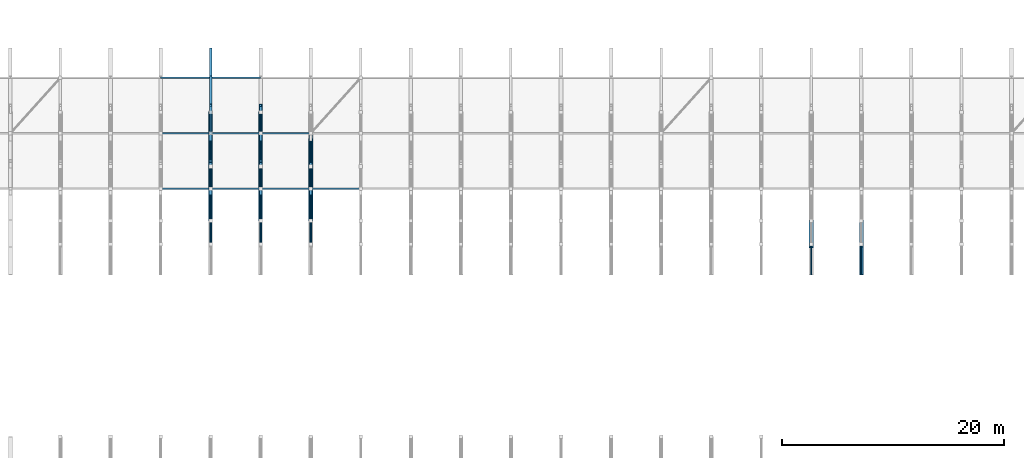
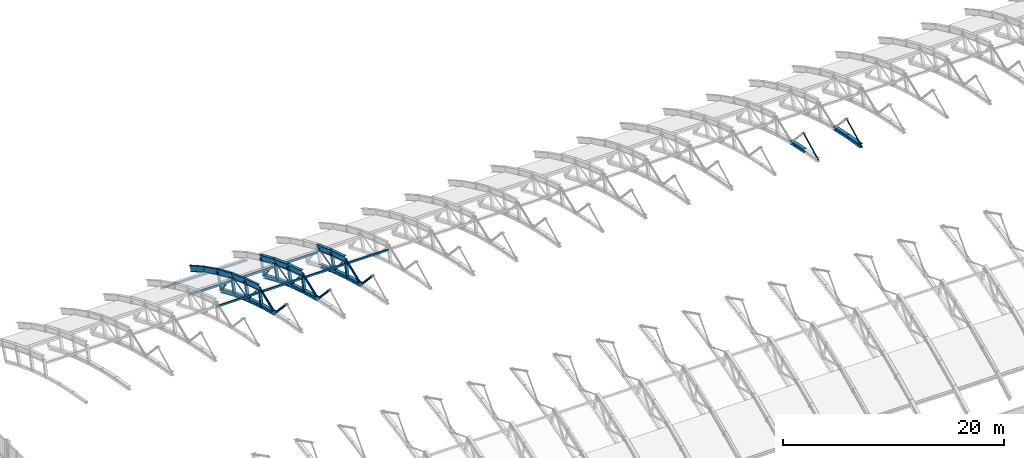
# One storey, part 44 of 103: 49 members, 10 beams.
"""IFC4 building model written with IfcOpenShell, lengths in metres."""

from ifc_helpers import new_model, si_unit, direction, frame, origin, origin_2d, place, context, subcontext, project, spatial, hollow_rectangle, hollow_circle, i_section, extrude, material, material_profile, profile_set, type_object, element, save


model = new_model("IFC4")

# Units and contexts
model_context = context("Model", 3, precision=1e-05, world=origin(), true_north=direction((0.0, 1.0)))
body_context = subcontext(model_context, "Body", "Model", "MODEL_VIEW")
ifc_project = project(units=[si_unit("LENGTHUNIT", "METRE"), si_unit("AREAUNIT", "SQUARE_METRE"), si_unit("VOLUMEUNIT", "CUBIC_METRE"), si_unit("PLANEANGLEUNIT", "RADIAN"), si_unit("MASSUNIT", "GRAM", prefix="KILO")], contexts=[model_context])

# Site, building, storey
site_placement = place(None, origin())
site = spatial("IfcSite", under=ifc_project, at=site_placement, CompositionType="ELEMENT")
building_placement = place(site_placement, origin())
building = spatial("IfcBuilding", under=site, at=building_placement, Name="Cazmaro Siding Exhibition Halls", CompositionType="ELEMENT")
storey_placement = place(building_placement, frame((0.0, 0.0, 16.5)))
storey = spatial("IfcBuildingStorey", under=building, at=storey_placement, Name="L03", CompositionType="ELEMENT", Elevation=16.5)

# Beams
ifc_material_1 = material(Name="Steel ASTM A992 Grade 50", Category="steel")
ifc_material_profile_1 = material_profile(ifc_material_1, i_section(OverallWidth=0.327880859375, OverallDepth=0.626953125, WebThickness=0.01708984375, FlangeThickness=0.028076171875, at=origin_2d()), Name="W24X146")
ifc_profile_set_1 = profile_set([ifc_material_profile_1], Name="Steel ASTM A992 Grade 50")
beam_type_1 = type_object("IfcBeamType", Name="AR-01", PredefinedType="USERDEFINED", material=ifc_profile_set_1)
beam_1_placement = place(storey_placement, frame((72.0, 109.0, 4.85498046875), z_axis=(0.0, 0.952769241759, -0.303695195811), x_axis=(-1.0, 0.0, 0.0)))
element("IfcBeam", 1, at=beam_1_placement, inside=storey, type_object=beam_type_1, Name="Space frame barrel vault arched rib AR-01 BM-0697", ObjectType="ARCHED RIB", PredefinedType="USERDEFINED", context=body_context, shape_type="SweptSolid", body=[
    extrude(i_section(OverallWidth=0.327880859375, OverallDepth=0.626953125, WebThickness=0.01708984375, FlangeThickness=0.028076171875, at=origin_2d()), origin(), (0.0, 0.0, 1.0), 2.6240234375),
])
beam_2_placement = place(storey_placement, frame((72.0, 111.5, 4.05810546875), z_axis=(0.0, 0.936509460339, -0.350642311615), x_axis=(-1.0, 0.0, 0.0)))
element("IfcBeam", 2, at=beam_2_placement, inside=storey, type_object=beam_type_1, Name="Space frame barrel vault arched rib AR-01 BM-0698", ObjectType="ARCHED RIB", PredefinedType="USERDEFINED", context=body_context, shape_type="SweptSolid", body=[
    extrude(i_section(OverallWidth=0.327880859375, OverallDepth=0.626953125, WebThickness=0.01708984375, FlangeThickness=0.028076171875, at=origin_2d()), origin(), (0.0, 0.0, 1.0), 2.66943359375),
])
beam_3_placement = place(storey_placement, frame((72.0, 114.0, 3.1220703125), z_axis=(0.0, 0.917729918626, -0.397204980405), x_axis=(-1.0, 0.0, 0.0)))
element("IfcBeam", 3, at=beam_3_placement, inside=storey, type_object=beam_type_1, Name="Space frame barrel vault arched rib AR-01 BM-0699", ObjectType="ARCHED RIB", PredefinedType="USERDEFINED", context=body_context, shape_type="SweptSolid", body=[
    extrude(i_section(OverallWidth=0.327880859375, OverallDepth=0.626953125, WebThickness=0.01708984375, FlangeThickness=0.028076171875, at=origin_2d()), origin(), (0.0, 0.0, 1.0), 2.72412109375),
])
ifc_material_2 = material(Name="Steel ASTM A992 Grade 50", Category="steel")
ifc_material_profile_2 = material_profile(ifc_material_2, i_section(OverallWidth=0.324951171875, OverallDepth=0.612060546875, WebThickness=0.012939453125, FlangeThickness=0.01904296875, at=origin_2d()), Name="W24X104")
ifc_profile_set_2 = profile_set([ifc_material_profile_2], Name="Steel ASTM A992 Grade 50")
beam_type_2 = type_object("IfcBeamType", Name="AR-02", PredefinedType="USERDEFINED", material=ifc_profile_set_2)
beam_4_placement = place(storey_placement, frame((76.5, 109.0, 4.85498046875), z_axis=(0.0, 0.952769241759, -0.303695195811), x_axis=(-1.0, 0.0, 0.0)))
element("IfcBeam", 4, at=beam_4_placement, inside=storey, type_object=beam_type_2, Name="Space frame barrel vault arched rib AR-02 BM-0721", ObjectType="ARCHED RIB", PredefinedType="USERDEFINED", context=body_context, shape_type="SweptSolid", body=[
    extrude(i_section(OverallWidth=0.324951171875, OverallDepth=0.612060546875, WebThickness=0.012939453125, FlangeThickness=0.01904296875, at=origin_2d()), origin(), (0.0, 0.0, 1.0), 2.6240234375),
])
beam_5_placement = place(storey_placement, frame((76.5, 111.5, 4.05810546875), z_axis=(0.0, 0.936509460339, -0.350642311615), x_axis=(-1.0, 0.0, 0.0)))
element("IfcBeam", 5, at=beam_5_placement, inside=storey, type_object=beam_type_2, Name="Space frame barrel vault arched rib AR-02 BM-0722", ObjectType="ARCHED RIB", PredefinedType="USERDEFINED", context=body_context, shape_type="SweptSolid", body=[
    extrude(i_section(OverallWidth=0.324951171875, OverallDepth=0.612060546875, WebThickness=0.012939453125, FlangeThickness=0.01904296875, at=origin_2d()), origin(), (0.0, 0.0, 1.0), 2.66943359375),
])
ifc_material_3 = material(Name="Steel ASTM A992 Grade 50", Category="steel")
ifc_material_profile_3 = material_profile(ifc_material_3, i_section(OverallWidth=0.22900390625, OverallDepth=0.612060546875, WebThickness=0.011962890625, FlangeThickness=0.02001953125, at=origin_2d()), Name="W24X84")
ifc_profile_set_3 = profile_set([ifc_material_profile_3], Name="Steel ASTM A992 Grade 50")
beam_type_3 = type_object("IfcBeamType", Name="AR-03", PredefinedType="USERDEFINED", material=ifc_profile_set_3)
beam_6_placement = place(storey_placement, frame((67.5, 109.0, 4.85498046875), z_axis=(0.0, 0.952769241759, -0.303695195811), x_axis=(-1.0, 0.0, 0.0)))
element("IfcBeam", 6, at=beam_6_placement, inside=storey, type_object=beam_type_3, Name="Space frame barrel vault arched rib AR-03 BM-0673", ObjectType="ARCHED RIB", PredefinedType="USERDEFINED", context=body_context, shape_type="SweptSolid", body=[
    extrude(i_section(OverallWidth=0.22900390625, OverallDepth=0.612060546875, WebThickness=0.011962890625, FlangeThickness=0.02001953125, at=origin_2d()), origin(), (0.0, 0.0, 1.0), 2.6240234375),
])
beam_7_placement = place(storey_placement, frame((67.5, 111.5, 4.05810546875), z_axis=(0.0, 0.936509460339, -0.350642311615), x_axis=(-1.0, 0.0, 0.0)))
element("IfcBeam", 7, at=beam_7_placement, inside=storey, type_object=beam_type_3, Name="Space frame barrel vault arched rib AR-03 BM-0674", ObjectType="ARCHED RIB", PredefinedType="USERDEFINED", context=body_context, shape_type="SweptSolid", body=[
    extrude(i_section(OverallWidth=0.22900390625, OverallDepth=0.612060546875, WebThickness=0.011962890625, FlangeThickness=0.02001953125, at=origin_2d()), origin(), (0.0, 0.0, 1.0), 2.66943359375),
])
beam_8_placement = place(storey_placement, frame((67.5, 114.0, 3.1220703125), z_axis=(0.0, 0.917729918626, -0.397204980405), x_axis=(-1.0, 0.0, 0.0)))
element("IfcBeam", 8, at=beam_8_placement, inside=storey, type_object=beam_type_3, Name="Space frame barrel vault arched rib AR-03 BM-0675", ObjectType="ARCHED RIB", PredefinedType="USERDEFINED", context=body_context, shape_type="SweptSolid", body=[
    extrude(i_section(OverallWidth=0.22900390625, OverallDepth=0.612060546875, WebThickness=0.011962890625, FlangeThickness=0.02001953125, at=origin_2d()), origin(), (0.0, 0.0, 1.0), 2.72412109375),
])
beam_9_placement = place(storey_placement, frame((67.5, 116.5, 2.0400390625), z_axis=(0.0, 0.895996638269, -0.444060833908), x_axis=(-1.0, 0.0, 0.0)))
element("IfcBeam", 9, at=beam_9_placement, inside=storey, type_object=beam_type_3, Name="Space frame barrel vault arched rib AR-03 BM-0676", ObjectType="ARCHED RIB", PredefinedType="USERDEFINED", context=body_context, shape_type="SweptSolid", body=[
    extrude(i_section(OverallWidth=0.22900390625, OverallDepth=0.612060546875, WebThickness=0.011962890625, FlangeThickness=0.02001953125, at=origin_2d()), origin(), (0.0, 0.0, 1.0), 2.790283203125),
])
beam_10_placement = place(storey_placement, frame((67.5, 119.0, 0.801025390625), z_axis=(0.0, 0.871320907359, -0.490713639916), x_axis=(-1.0, 0.0, 0.0)))
element("IfcBeam", 10, at=beam_10_placement, inside=storey, type_object=beam_type_3, Name="Space frame barrel vault arched rib AR-03 BM-0677", ObjectType="ARCHED RIB", PredefinedType="USERDEFINED", context=body_context, shape_type="SweptSolid", body=[
    extrude(i_section(OverallWidth=0.22900390625, OverallDepth=0.612060546875, WebThickness=0.011962890625, FlangeThickness=0.02001953125, at=origin_2d()), origin(), (0.0, 0.0, 1.0), 2.869140625),
])

# Members
ifc_material_4 = material(Name="Steel ASTM A500 Grade C", Category="steel")
ifc_material_profile_4 = material_profile(ifc_material_4, hollow_rectangle(XDim=0.152099609375, YDim=0.202880859375, WallThickness=0.011962890625, at=origin_2d()), Name="HSS8X6X1/2")
ifc_profile_set_4 = profile_set([ifc_material_profile_4], Name="Steel ASTM A500 Grade C")
member_type_1 = type_object("IfcMemberType", Name="RP-01", PredefinedType="PURLIN", material=ifc_profile_set_4)
for number, where, z_axis, x_axis, name in (
    (11, (63.0, 109.0, 4.31494140625), (1.0, 0.0, 0.0), (0.0, 1.0, 0.0), "Space frame barrel vault purlin RP-01 MEM-2022"),
    (12, (63.0, 119.0, 0.260986328125), (1.0, 0.0, 0.0), (0.0, 1.0, 0.0), "Space frame barrel vault purlin RP-01 MEM-2024"),
    (13, (67.5, 109.0, 4.31494140625), (1.0, 0.0, 0.0), (0.0, 1.0, 0.0), "Space frame barrel vault purlin RP-01 MEM-2033"),
    (14, (67.5, 119.0, 0.260986328125), (1.0, 0.0, 0.0), (0.0, 1.0, 0.0), "Space frame barrel vault purlin RP-01 MEM-2035"),
    (15, (72.0, 109.0, 4.31494140625), (1.0, 0.0, 0.0), (0.0, 1.0, 0.0), "Space frame barrel vault purlin RP-01 MEM-2044"),
    (16, (76.5, 109.0, 4.31494140625), (1.0, 0.0, 0.0), (0.0, 1.0, 0.0), "Space frame barrel vault purlin RP-01 MEM-2055"),
):
    element("IfcMember", number, at=place(storey_placement, frame(where, z_axis=z_axis, x_axis=x_axis)), inside=storey, type_object=member_type_1, Name=name, PredefinedType="PURLIN", context=body_context, shape_type="SweptSolid", body=[
        extrude(hollow_rectangle(XDim=0.152099609375, YDim=0.202880859375, WallThickness=0.011962890625, at=origin_2d()), origin(), (0.0, 0.0, 1.0), 4.5),
    ])
ifc_material_5 = material(Name="Steel ASTM A500 Grade C", Category="steel")
ifc_material_profile_5 = material_profile(ifc_material_5, hollow_rectangle(XDim=0.152099609375, YDim=0.25390625, WallThickness=0.011962890625, at=origin_2d()), Name="HSS10X6X1/2")
ifc_profile_set_5 = profile_set([ifc_material_profile_5], Name="Steel ASTM A500 Grade C")
member_type_2 = type_object("IfcMemberType", Name="RP-04", PredefinedType="PURLIN", material=ifc_profile_set_5)
for number, where, z_axis, x_axis, name in (
    (17, (63.0, 114.0, 2.58203125), (1.0, 0.0, 0.0), (0.0, 1.0, 0.0), "Space frame barrel vault purlin RP-04 MEM-2023"),
    (18, (67.5, 114.0, 2.58203125), (1.0, 0.0, 0.0), (0.0, 1.0, 0.0), "Space frame barrel vault purlin RP-04 MEM-2034"),
    (19, (72.0, 114.0, 2.58203125), (1.0, 0.0, 0.0), (0.0, 1.0, 0.0), "Space frame barrel vault purlin RP-04 MEM-2045"),
):
    element("IfcMember", number, at=place(storey_placement, frame(where, z_axis=z_axis, x_axis=x_axis)), inside=storey, type_object=member_type_2, Name=name, PredefinedType="PURLIN", context=body_context, shape_type="SweptSolid", body=[
        extrude(hollow_rectangle(XDim=0.152099609375, YDim=0.25390625, WallThickness=0.011962890625, at=origin_2d()), origin(), (0.0, 0.0, 1.0), 4.5),
    ])
ifc_material_6 = material(Name="Steel ASTM A992 Grade 50", Category="steel")
ifc_material_profile_6 = material_profile(ifc_material_6, i_section(OverallWidth=0.37109375, OverallDepth=0.364013671875, WebThickness=0.012939453125, FlangeThickness=0.02197265625, at=origin_2d()), Name="W14X109")
ifc_profile_set_6 = profile_set([ifc_material_profile_6], Name="Steel ASTM A992 Grade 50")
member_type_3 = type_object("IfcMemberType", Name="TC-06", PredefinedType="CHORD", material=ifc_profile_set_6)
member_1_placement = place(storey_placement, frame((67.5, 106.14990234375, 3.760986328125), z_axis=(0.0, 0.966437683387, -0.256901156343), x_axis=(-1.0, 0.0, 0.0)))
element("IfcMember", 20, at=member_1_placement, inside=storey, type_object=member_type_3, Name="Space frame barrel vault bottom chord TC-06 MEM-0342", PredefinedType="CHORD", context=body_context, shape_type="SweptSolid", body=[
    extrude(i_section(OverallWidth=0.37109375, OverallDepth=0.364013671875, WebThickness=0.012939453125, FlangeThickness=0.02197265625, at=origin_2d()), origin(), (0.0, 0.0, 1.0), 2.5146484375),
])
member_2_placement = place(storey_placement, frame((67.5, 108.580078125, 3.114990234375), z_axis=(0.0, 0.952692842525, -0.303934775573), x_axis=(-1.0, 0.0, 0.0)))
element("IfcMember", 21, at=member_2_placement, inside=storey, type_object=member_type_3, Name="Space frame barrel vault bottom chord TC-06 MEM-0344", PredefinedType="CHORD", context=body_context, shape_type="SweptSolid", body=[
    extrude(i_section(OverallWidth=0.37109375, OverallDepth=0.364013671875, WebThickness=0.012939453125, FlangeThickness=0.02197265625, at=origin_2d()), origin(), (0.0, 0.0, 1.0), 2.549560546875),
])
member_3_placement = place(storey_placement, frame((67.5, 111.009033203125, 2.340087890625), z_axis=(0.0, 0.936588022869, -0.350432412053), x_axis=(-1.0, 0.0, 0.0)))
element("IfcMember", 22, at=member_3_placement, inside=storey, type_object=member_type_3, Name="Space frame barrel vault bottom chord TC-06 MEM-0346", PredefinedType="CHORD", context=body_context, shape_type="SweptSolid", body=[
    extrude(i_section(OverallWidth=0.37109375, OverallDepth=0.364013671875, WebThickness=0.012939453125, FlangeThickness=0.02197265625, at=origin_2d()), origin(), (0.0, 0.0, 1.0), 2.594482421875),
])
member_4_placement = place(storey_placement, frame((67.5, 113.43896484375, 1.430908203125), z_axis=(0.0, 0.917689003843, -0.397299499403), x_axis=(-1.0, 0.0, 0.0)))
element("IfcMember", 23, at=member_4_placement, inside=storey, type_object=member_type_3, Name="Space frame barrel vault bottom chord TC-06 MEM-0348", PredefinedType="CHORD", context=body_context, shape_type="SweptSolid", body=[
    extrude(i_section(OverallWidth=0.37109375, OverallDepth=0.364013671875, WebThickness=0.012939453125, FlangeThickness=0.02197265625, at=origin_2d()), origin(), (0.0, 0.0, 1.0), 2.64794921875),
])
member_5_placement = place(storey_placement, frame((72.0, 106.14990234375, 3.760986328125), z_axis=(0.0, 0.966437683387, -0.256901156343), x_axis=(-1.0, 0.0, 0.0)))
element("IfcMember", 24, at=member_5_placement, inside=storey, type_object=member_type_3, Name="Space frame barrel vault bottom chord TC-06 MEM-0413", PredefinedType="CHORD", context=body_context, shape_type="SweptSolid", body=[
    extrude(i_section(OverallWidth=0.37109375, OverallDepth=0.364013671875, WebThickness=0.012939453125, FlangeThickness=0.02197265625, at=origin_2d()), origin(), (0.0, 0.0, 1.0), 2.5146484375),
])
member_6_placement = place(storey_placement, frame((72.0, 108.580078125, 3.114990234375), z_axis=(0.0, 0.952692842525, -0.303934775573), x_axis=(-1.0, 0.0, 0.0)))
element("IfcMember", 25, at=member_6_placement, inside=storey, type_object=member_type_3, Name="Space frame barrel vault bottom chord TC-06 MEM-0415", PredefinedType="CHORD", context=body_context, shape_type="SweptSolid", body=[
    extrude(i_section(OverallWidth=0.37109375, OverallDepth=0.364013671875, WebThickness=0.012939453125, FlangeThickness=0.02197265625, at=origin_2d()), origin(), (0.0, 0.0, 1.0), 2.549560546875),
])
member_7_placement = place(storey_placement, frame((72.0, 111.009033203125, 2.340087890625), z_axis=(0.0, 0.936588022869, -0.350432412053), x_axis=(-1.0, 0.0, 0.0)))
element("IfcMember", 26, at=member_7_placement, inside=storey, type_object=member_type_3, Name="Space frame barrel vault bottom chord TC-06 MEM-0417", PredefinedType="CHORD", context=body_context, shape_type="SweptSolid", body=[
    extrude(i_section(OverallWidth=0.37109375, OverallDepth=0.364013671875, WebThickness=0.012939453125, FlangeThickness=0.02197265625, at=origin_2d()), origin(), (0.0, 0.0, 1.0), 2.594482421875),
])
member_8_placement = place(storey_placement, frame((72.0, 113.43896484375, 1.430908203125), z_axis=(0.0, 0.917689003843, -0.397299499403), x_axis=(-1.0, 0.0, 0.0)))
element("IfcMember", 27, at=member_8_placement, inside=storey, type_object=member_type_3, Name="Space frame barrel vault bottom chord TC-06 MEM-0419", PredefinedType="CHORD", context=body_context, shape_type="SweptSolid", body=[
    extrude(i_section(OverallWidth=0.37109375, OverallDepth=0.364013671875, WebThickness=0.012939453125, FlangeThickness=0.02197265625, at=origin_2d()), origin(), (0.0, 0.0, 1.0), 2.64794921875),
])
member_9_placement = place(storey_placement, frame((76.5, 106.14990234375, 3.760986328125), z_axis=(0.0, 0.966437683387, -0.256901156343), x_axis=(-1.0, 0.0, 0.0)))
element("IfcMember", 28, at=member_9_placement, inside=storey, type_object=member_type_3, Name="Space frame barrel vault bottom chord TC-06 MEM-0484", PredefinedType="CHORD", context=body_context, shape_type="SweptSolid", body=[
    extrude(i_section(OverallWidth=0.37109375, OverallDepth=0.364013671875, WebThickness=0.012939453125, FlangeThickness=0.02197265625, at=origin_2d()), origin(), (0.0, 0.0, 1.0), 2.5146484375),
])
member_10_placement = place(storey_placement, frame((76.5, 108.580078125, 3.114990234375), z_axis=(0.0, 0.952692842525, -0.303934775573), x_axis=(-1.0, 0.0, 0.0)))
element("IfcMember", 29, at=member_10_placement, inside=storey, type_object=member_type_3, Name="Space frame barrel vault bottom chord TC-06 MEM-0486", PredefinedType="CHORD", context=body_context, shape_type="SweptSolid", body=[
    extrude(i_section(OverallWidth=0.37109375, OverallDepth=0.364013671875, WebThickness=0.012939453125, FlangeThickness=0.02197265625, at=origin_2d()), origin(), (0.0, 0.0, 1.0), 2.549560546875),
])
member_11_placement = place(storey_placement, frame((76.5, 111.009033203125, 2.340087890625), z_axis=(0.0, 0.936588022869, -0.350432412053), x_axis=(-1.0, 0.0, 0.0)))
element("IfcMember", 30, at=member_11_placement, inside=storey, type_object=member_type_3, Name="Space frame barrel vault bottom chord TC-06 MEM-0488", PredefinedType="CHORD", context=body_context, shape_type="SweptSolid", body=[
    extrude(i_section(OverallWidth=0.37109375, OverallDepth=0.364013671875, WebThickness=0.012939453125, FlangeThickness=0.02197265625, at=origin_2d()), origin(), (0.0, 0.0, 1.0), 2.594482421875),
])
member_12_placement = place(storey_placement, frame((121.5, 103.719970703125, 4.282958984375), z_axis=(0.0, 0.977697351532, -0.210018782033), x_axis=(-1.0, 0.0, 0.0)))
element("IfcMember", 31, at=member_12_placement, inside=storey, type_object=member_type_3, Name="Space frame barrel vault bottom chord TC-06 MEM-1192", PredefinedType="CHORD", context=body_context, shape_type="SweptSolid", body=[
    extrude(i_section(OverallWidth=0.37109375, OverallDepth=0.364013671875, WebThickness=0.012939453125, FlangeThickness=0.02197265625, at=origin_2d()), origin(), (0.0, 0.0, 1.0), 2.4853515625),
])
member_13_placement = place(storey_placement, frame((126.0, 101.2900390625, 4.68701171875), z_axis=(0.0, 0.986455464336, -0.164029317138), x_axis=(-1.0, 0.0, 0.0)))
element("IfcMember", 32, at=member_13_placement, inside=storey, type_object=member_type_3, Name="Space frame barrel vault bottom chord TC-06 MEM-1261", PredefinedType="CHORD", context=body_context, shape_type="SweptSolid", body=[
    extrude(i_section(OverallWidth=0.37109375, OverallDepth=0.364013671875, WebThickness=0.012939453125, FlangeThickness=0.02197265625, at=origin_2d()), origin(), (0.0, 0.0, 1.0), 2.46337890625),
])
member_14_placement = place(storey_placement, frame((126.0, 103.719970703125, 4.282958984375), z_axis=(0.0, 0.977697351532, -0.210018782033), x_axis=(-1.0, 0.0, 0.0)))
element("IfcMember", 33, at=member_14_placement, inside=storey, type_object=member_type_3, Name="Space frame barrel vault bottom chord TC-06 MEM-1263", PredefinedType="CHORD", context=body_context, shape_type="SweptSolid", body=[
    extrude(i_section(OverallWidth=0.37109375, OverallDepth=0.364013671875, WebThickness=0.012939453125, FlangeThickness=0.02197265625, at=origin_2d()), origin(), (0.0, 0.0, 1.0), 2.4853515625),
])
ifc_material_7 = material(Name="Steel ASTM A500 Grade C", Category="steel")
ifc_material_profile_7 = material_profile(ifc_material_7, hollow_rectangle(XDim=0.202880859375, YDim=0.202880859375, WallThickness=0.011962890625, at=origin_2d()), Name="HSS8X8X1/2")
ifc_profile_set_7 = profile_set([ifc_material_profile_7], Name="Steel ASTM A500 Grade C")
member_type_4 = type_object("IfcMemberType", Name="TP-01", PredefinedType="POST", material=ifc_profile_set_7)
for number, where, z_axis, x_axis, name in (
    (34, (67.5, 115.868896484375, 0.37890625), (0.0, 0.355155331276, 0.934807301355), (-1.0, 0.0, 0.0), "Space frame barrel vault post TP-01 MEM-0376"),
    (35, (72.0, 115.868896484375, 0.37890625), (0.0, 0.355155331276, 0.934807301355), (-1.0, 0.0, 0.0), "Space frame barrel vault post TP-01 MEM-0447"),
):
    element("IfcMember", number, at=place(storey_placement, frame(where, z_axis=z_axis, x_axis=x_axis)), inside=storey, type_object=member_type_4, Name=name, PredefinedType="POST", context=body_context, shape_type="SweptSolid", body=[
        extrude(hollow_rectangle(XDim=0.202880859375, YDim=0.202880859375, WallThickness=0.011962890625, at=origin_2d()), origin(), (0.0, 0.0, 1.0), 1.777099609375),
    ])
ifc_material_8 = material(Name="Steel ASTM A992 Grade 50", Category="steel")
ifc_material_profile_8 = material_profile(ifc_material_8, i_section(OverallWidth=0.25390625, OverallDepth=0.25390625, WebThickness=0.009033203125, FlangeThickness=0.013916015625, at=origin_2d()), Name="W10X49")
ifc_profile_set_8 = profile_set([ifc_material_profile_8], Name="Steel ASTM A992 Grade 50")
member_type_5 = type_object("IfcMemberType", Name="TP-04", PredefinedType="POST", material=ifc_profile_set_8)
member_15_placement = place(storey_placement, frame((67.5, 108.580078125, 3.114990234375), z_axis=(0.0, 0.234600533729, 0.972091862724), x_axis=(-1.0, 0.0, 0.0)))
element("IfcMember", 36, at=member_15_placement, inside=storey, type_object=member_type_5, Name="Space frame barrel vault post TP-04 MEM-0373", PredefinedType="POST", context=body_context, shape_type="SweptSolid", body=[
    extrude(i_section(OverallWidth=0.25390625, OverallDepth=0.25390625, WebThickness=0.009033203125, FlangeThickness=0.013916015625, at=origin_2d()), origin(), (0.0, 0.0, 1.0), 1.7900390625),
])
member_16_placement = place(storey_placement, frame((67.5, 111.009033203125, 2.340087890625), z_axis=(0.0, 0.274775266308, 0.961508477875), x_axis=(-1.0, 0.0, 0.0)))
element("IfcMember", 37, at=member_16_placement, inside=storey, type_object=member_type_5, Name="Space frame barrel vault post TP-04 MEM-0374", PredefinedType="POST", context=body_context, shape_type="SweptSolid", body=[
    extrude(i_section(OverallWidth=0.25390625, OverallDepth=0.25390625, WebThickness=0.009033203125, FlangeThickness=0.013916015625, at=origin_2d()), origin(), (0.0, 0.0, 1.0), 1.786865234375),
])
member_17_placement = place(storey_placement, frame((67.5, 113.43896484375, 1.430908203125), z_axis=(0.0, 0.314870949103, 0.949134492794), x_axis=(-1.0, 0.0, 0.0)))
element("IfcMember", 38, at=member_17_placement, inside=storey, type_object=member_type_5, Name="Space frame barrel vault post TP-04 MEM-0375", PredefinedType="POST", context=body_context, shape_type="SweptSolid", body=[
    extrude(i_section(OverallWidth=0.25390625, OverallDepth=0.25390625, WebThickness=0.009033203125, FlangeThickness=0.013916015625, at=origin_2d()), origin(), (0.0, 0.0, 1.0), 1.78173828125),
])
member_18_placement = place(storey_placement, frame((72.0, 108.580078125, 3.114990234375), z_axis=(0.0, 0.234600533729, 0.972091862724), x_axis=(-1.0, 0.0, 0.0)))
element("IfcMember", 39, at=member_18_placement, inside=storey, type_object=member_type_5, Name="Space frame barrel vault post TP-04 MEM-0444", PredefinedType="POST", context=body_context, shape_type="SweptSolid", body=[
    extrude(i_section(OverallWidth=0.25390625, OverallDepth=0.25390625, WebThickness=0.009033203125, FlangeThickness=0.013916015625, at=origin_2d()), origin(), (0.0, 0.0, 1.0), 1.7900390625),
])
member_19_placement = place(storey_placement, frame((72.0, 111.009033203125, 2.340087890625), z_axis=(0.0, 0.274775266308, 0.961508477875), x_axis=(-1.0, 0.0, 0.0)))
element("IfcMember", 40, at=member_19_placement, inside=storey, type_object=member_type_5, Name="Space frame barrel vault post TP-04 MEM-0445", PredefinedType="POST", context=body_context, shape_type="SweptSolid", body=[
    extrude(i_section(OverallWidth=0.25390625, OverallDepth=0.25390625, WebThickness=0.009033203125, FlangeThickness=0.013916015625, at=origin_2d()), origin(), (0.0, 0.0, 1.0), 1.786865234375),
])
member_20_placement = place(storey_placement, frame((72.0, 113.43896484375, 1.430908203125), z_axis=(0.0, 0.314870949103, 0.949134492794), x_axis=(-1.0, 0.0, 0.0)))
element("IfcMember", 41, at=member_20_placement, inside=storey, type_object=member_type_5, Name="Space frame barrel vault post TP-04 MEM-0446", PredefinedType="POST", context=body_context, shape_type="SweptSolid", body=[
    extrude(i_section(OverallWidth=0.25390625, OverallDepth=0.25390625, WebThickness=0.009033203125, FlangeThickness=0.013916015625, at=origin_2d()), origin(), (0.0, 0.0, 1.0), 1.78173828125),
])
member_21_placement = place(storey_placement, frame((76.5, 108.580078125, 3.114990234375), z_axis=(0.0, 0.234600533729, 0.972091862724), x_axis=(-1.0, 0.0, 0.0)))
element("IfcMember", 42, at=member_21_placement, inside=storey, type_object=member_type_5, Name="Space frame barrel vault post TP-04 MEM-0515", PredefinedType="POST", context=body_context, shape_type="SweptSolid", body=[
    extrude(i_section(OverallWidth=0.25390625, OverallDepth=0.25390625, WebThickness=0.009033203125, FlangeThickness=0.013916015625, at=origin_2d()), origin(), (0.0, 0.0, 1.0), 1.7900390625),
])
member_22_placement = place(storey_placement, frame((76.5, 111.009033203125, 2.340087890625), z_axis=(0.0, 0.274775266308, 0.961508477875), x_axis=(-1.0, 0.0, 0.0)))
element("IfcMember", 43, at=member_22_placement, inside=storey, type_object=member_type_5, Name="Space frame barrel vault post TP-04 MEM-0516", PredefinedType="POST", context=body_context, shape_type="SweptSolid", body=[
    extrude(i_section(OverallWidth=0.25390625, OverallDepth=0.25390625, WebThickness=0.009033203125, FlangeThickness=0.013916015625, at=origin_2d()), origin(), (0.0, 0.0, 1.0), 1.786865234375),
])
ifc_material_9 = material(Name="Steel ASTM A500 Grade C", Category="steel")
ifc_material_profile_9 = material_profile(ifc_material_9, hollow_circle(Radius=0.109619140625, WallThickness=0.012939453125, at=origin_2d()), Name="PIPE8XS")
ifc_profile_set_9 = profile_set([ifc_material_profile_9], Name="Steel ASTM A500 Grade C")
member_type_6 = type_object("IfcMemberType", Name="WB-01", PredefinedType="BRACE", material=ifc_profile_set_9)
member_23_placement = place(storey_placement, frame((67.5, 104.0, 6.056884765625), z_axis=(0.0, 0.683517575744, -0.729934054315), x_axis=(-1.0, 0.0, 0.0)))
element("IfcMember", 44, at=member_23_placement, inside=storey, type_object=member_type_6, Name="Space frame barrel vault diagonal WB-01 MEM-0341", PredefinedType="BRACE", context=body_context, shape_type="SweptSolid", body=[
    extrude(hollow_circle(Radius=0.109619140625, WallThickness=0.012939453125, at=origin_2d()), origin(), (0.0, 0.0, 1.0), 3.145263671875),
])
member_24_placement = place(storey_placement, frame((67.5, 106.14990234375, 3.760986328125), z_axis=(0.0, 0.933586546586, 0.358352005761), x_axis=(-1.0, 0.0, 0.0)))
element("IfcMember", 45, at=member_24_placement, inside=storey, type_object=member_type_6, Name="Space frame barrel vault diagonal WB-01 MEM-0343", PredefinedType="BRACE", context=body_context, shape_type="SweptSolid", body=[
    extrude(hollow_circle(Radius=0.109619140625, WallThickness=0.012939453125, at=origin_2d()), origin(), (0.0, 0.0, 1.0), 3.052734375),
])
member_25_placement = place(storey_placement, frame((67.5, 114.0, 3.1220703125), z_axis=(0.0, 0.563040090795, -0.826429583302), x_axis=(-1.0, 0.0, 0.0)))
element("IfcMember", 46, at=member_25_placement, inside=storey, type_object=member_type_6, Name="Space frame barrel vault diagonal WB-01 MEM-0349", PredefinedType="BRACE", context=body_context, shape_type="SweptSolid", body=[
    extrude(hollow_circle(Radius=0.109619140625, WallThickness=0.012939453125, at=origin_2d()), origin(), (0.0, 0.0, 1.0), 3.3193359375),
])
member_26_placement = place(storey_placement, frame((72.0, 104.0, 6.056884765625), z_axis=(0.0, 0.683517575744, -0.729934054315), x_axis=(-1.0, 0.0, 0.0)))
element("IfcMember", 47, at=member_26_placement, inside=storey, type_object=member_type_6, Name="Space frame barrel vault diagonal WB-01 MEM-0412", PredefinedType="BRACE", context=body_context, shape_type="SweptSolid", body=[
    extrude(hollow_circle(Radius=0.109619140625, WallThickness=0.012939453125, at=origin_2d()), origin(), (0.0, 0.0, 1.0), 3.145263671875),
])
member_27_placement = place(storey_placement, frame((72.0, 106.14990234375, 3.760986328125), z_axis=(0.0, 0.933586546586, 0.358352005761), x_axis=(-1.0, 0.0, 0.0)))
element("IfcMember", 48, at=member_27_placement, inside=storey, type_object=member_type_6, Name="Space frame barrel vault diagonal WB-01 MEM-0414", PredefinedType="BRACE", context=body_context, shape_type="SweptSolid", body=[
    extrude(hollow_circle(Radius=0.109619140625, WallThickness=0.012939453125, at=origin_2d()), origin(), (0.0, 0.0, 1.0), 3.052734375),
])
member_28_placement = place(storey_placement, frame((72.0, 114.0, 3.1220703125), z_axis=(0.0, 0.563040090795, -0.826429583302), x_axis=(-1.0, 0.0, 0.0)))
element("IfcMember", 49, at=member_28_placement, inside=storey, type_object=member_type_6, Name="Space frame barrel vault diagonal WB-01 MEM-0420", PredefinedType="BRACE", context=body_context, shape_type="SweptSolid", body=[
    extrude(hollow_circle(Radius=0.109619140625, WallThickness=0.012939453125, at=origin_2d()), origin(), (0.0, 0.0, 1.0), 3.3193359375),
])
member_29_placement = place(storey_placement, frame((76.5, 104.0, 6.056884765625), z_axis=(0.0, 0.683517575744, -0.729934054315), x_axis=(-1.0, 0.0, 0.0)))
element("IfcMember", 50, at=member_29_placement, inside=storey, type_object=member_type_6, Name="Space frame barrel vault diagonal WB-01 MEM-0483", PredefinedType="BRACE", context=body_context, shape_type="SweptSolid", body=[
    extrude(hollow_circle(Radius=0.109619140625, WallThickness=0.012939453125, at=origin_2d()), origin(), (0.0, 0.0, 1.0), 3.145263671875),
])
member_30_placement = place(storey_placement, frame((76.5, 106.14990234375, 3.760986328125), z_axis=(0.0, 0.933586546586, 0.358352005761), x_axis=(-1.0, 0.0, 0.0)))
element("IfcMember", 51, at=member_30_placement, inside=storey, type_object=member_type_6, Name="Space frame barrel vault diagonal WB-01 MEM-0485", PredefinedType="BRACE", context=body_context, shape_type="SweptSolid", body=[
    extrude(hollow_circle(Radius=0.109619140625, WallThickness=0.012939453125, at=origin_2d()), origin(), (0.0, 0.0, 1.0), 3.052734375),
])
ifc_material_10 = material(Name="Steel ASTM A500 Grade C", Category="steel")
ifc_material_profile_10 = material_profile(ifc_material_10, hollow_circle(Radius=0.070556640625, WallThickness=0.01904296875, at=origin_2d()), Name="PIPE5XXS")
ifc_profile_set_10 = profile_set([ifc_material_profile_10], Name="Steel ASTM A500 Grade C")
member_type_7 = type_object("IfcMemberType", Name="WB-07", PredefinedType="BRACE", material=ifc_profile_set_10)
member_31_placement = place(storey_placement, frame((67.5, 109.0, 4.85498046875), z_axis=(0.0, 0.624149162907, -0.781305204412), x_axis=(-1.0, 0.0, 0.0)))
element("IfcMember", 52, at=member_31_placement, inside=storey, type_object=member_type_7, Name="Space frame barrel vault diagonal WB-07 MEM-0345", PredefinedType="BRACE", context=body_context, shape_type="SweptSolid", body=[
    extrude(hollow_circle(Radius=0.070556640625, WallThickness=0.01904296875, at=origin_2d()), origin(), (0.0, 0.0, 1.0), 3.21875),
])
member_32_placement = place(storey_placement, frame((67.5, 111.009033203125, 2.340087890625), z_axis=(0.0, 0.967480432857, 0.252945867802), x_axis=(-1.0, 0.0, 0.0)))
element("IfcMember", 53, at=member_32_placement, inside=storey, type_object=member_type_7, Name="Space frame barrel vault diagonal WB-07 MEM-0347", PredefinedType="BRACE", context=body_context, shape_type="SweptSolid", body=[
    extrude(hollow_circle(Radius=0.070556640625, WallThickness=0.01904296875, at=origin_2d()), origin(), (0.0, 0.0, 1.0), 3.091552734375),
])
member_33_placement = place(storey_placement, frame((72.0, 109.0, 4.85498046875), z_axis=(0.0, 0.624149162907, -0.781305204412), x_axis=(-1.0, 0.0, 0.0)))
element("IfcMember", 54, at=member_33_placement, inside=storey, type_object=member_type_7, Name="Space frame barrel vault diagonal WB-07 MEM-0416", PredefinedType="BRACE", context=body_context, shape_type="SweptSolid", body=[
    extrude(hollow_circle(Radius=0.070556640625, WallThickness=0.01904296875, at=origin_2d()), origin(), (0.0, 0.0, 1.0), 3.21875),
])
member_34_placement = place(storey_placement, frame((72.0, 111.009033203125, 2.340087890625), z_axis=(0.0, 0.967480432857, 0.252945867802), x_axis=(-1.0, 0.0, 0.0)))
element("IfcMember", 55, at=member_34_placement, inside=storey, type_object=member_type_7, Name="Space frame barrel vault diagonal WB-07 MEM-0418", PredefinedType="BRACE", context=body_context, shape_type="SweptSolid", body=[
    extrude(hollow_circle(Radius=0.070556640625, WallThickness=0.01904296875, at=origin_2d()), origin(), (0.0, 0.0, 1.0), 3.091552734375),
])
member_35_placement = place(storey_placement, frame((76.5, 109.0, 4.85498046875), z_axis=(0.0, 0.624149162907, -0.781305204412), x_axis=(-1.0, 0.0, 0.0)))
element("IfcMember", 56, at=member_35_placement, inside=storey, type_object=member_type_7, Name="Space frame barrel vault diagonal WB-07 MEM-0487", PredefinedType="BRACE", context=body_context, shape_type="SweptSolid", body=[
    extrude(hollow_circle(Radius=0.070556640625, WallThickness=0.01904296875, at=origin_2d()), origin(), (0.0, 0.0, 1.0), 3.21875),
])
member_36_placement = place(storey_placement, frame((76.5, 111.009033203125, 2.340087890625), z_axis=(0.0, 0.967480432857, 0.252945867802), x_axis=(-1.0, 0.0, 0.0)))
element("IfcMember", 57, at=member_36_placement, inside=storey, type_object=member_type_7, Name="Space frame barrel vault diagonal WB-07 MEM-0489", PredefinedType="BRACE", context=body_context, shape_type="SweptSolid", body=[
    extrude(hollow_circle(Radius=0.070556640625, WallThickness=0.01904296875, at=origin_2d()), origin(), (0.0, 0.0, 1.0), 3.091552734375),
])
for number, where, z_axis, x_axis, name in (
    (58, (121.5, 101.2900390625, 4.68701171875), (0.0, 0.892456788218, 0.451132886369), (-1.0, 0.0, 0.0), "Space frame barrel vault diagonal WB-07 MEM-1191"),
    (59, (126.0, 101.2900390625, 4.68701171875), (0.0, 0.892456788218, 0.451132886369), (-1.0, 0.0, 0.0), "Space frame barrel vault diagonal WB-07 MEM-1262"),
):
    element("IfcMember", number, at=place(storey_placement, frame(where, z_axis=z_axis, x_axis=x_axis)), inside=storey, type_object=member_type_7, Name=name, PredefinedType="BRACE", context=body_context, shape_type="SweptSolid", body=[
        extrude(hollow_circle(Radius=0.070556640625, WallThickness=0.01904296875, at=origin_2d()), origin(), (0.0, 0.0, 1.0), 3.03662109375),
    ])

save(model, "model.ifc")
